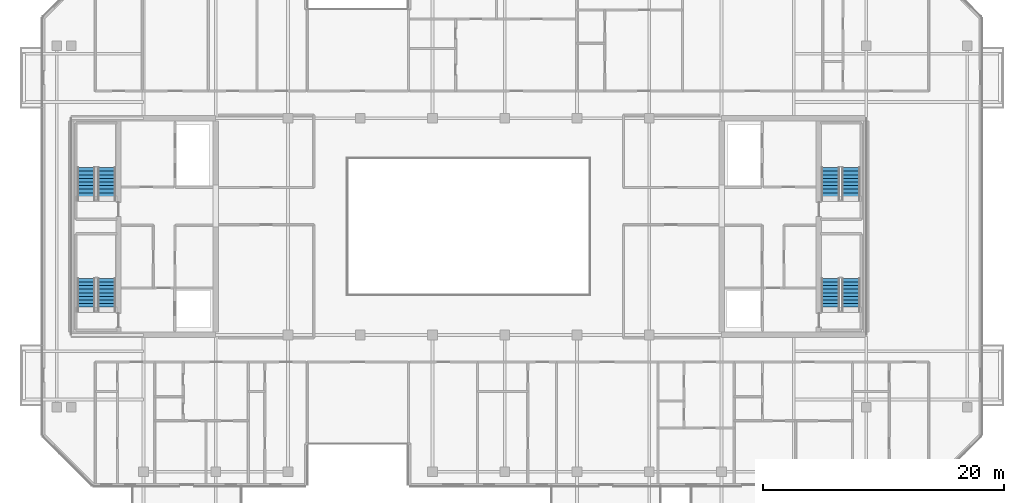
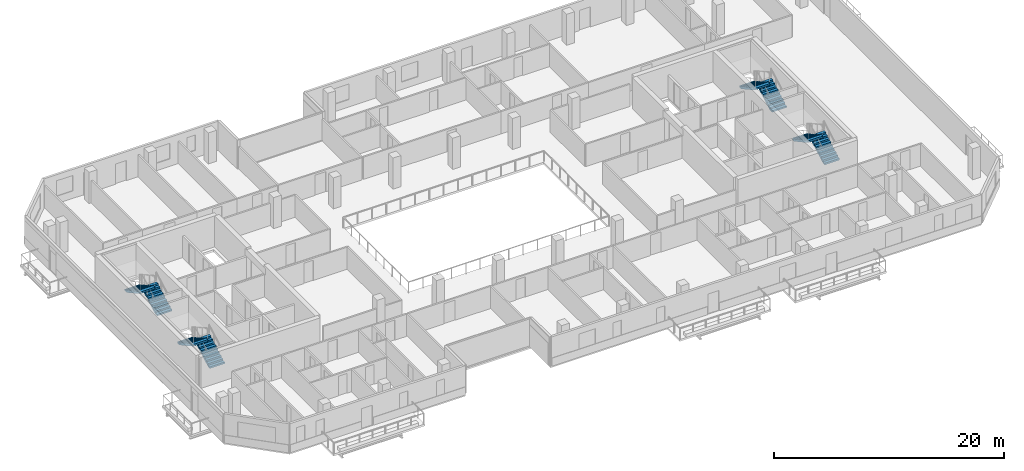
# One storey, part 16 of 20: 8 stair flights, 4 elements without a shape of their own.
"""IFC4 building model written with IfcOpenShell, lengths in metres."""

from ifc_helpers import new_model, si_unit, direction, frame, origin, place, context, subcontext, project, spatial, polyline, outline, extrude, material, type_object, element, aggregate, save


model = new_model("IFC4")

# Units and contexts
model_context = context("Model", 3, precision=1e-05, world=origin(), true_north=direction((0.0, 1.0)))
body_context = subcontext(model_context, "Body", "Model", "MODEL_VIEW")
ifc_project = project(units=[si_unit("LENGTHUNIT", "METRE"), si_unit("AREAUNIT", "SQUARE_METRE"), si_unit("VOLUMEUNIT", "CUBIC_METRE"), si_unit("PLANEANGLEUNIT", "RADIAN"), si_unit("MASSUNIT", "GRAM", prefix="KILO")], contexts=[model_context])

# Site, building, storey
site_placement = place(None, origin())
site = spatial("IfcSite", under=ifc_project, at=site_placement, CompositionType="ELEMENT")
building_placement = place(site_placement, origin())
building = spatial("IfcBuilding", under=site, at=building_placement, Name="Tanjung Sevakor Pilgrim Tower", CompositionType="ELEMENT")
storey_placement = place(building_placement, frame((0.0, 0.0, 201.6298828125)))
storey = spatial("IfcBuildingStorey", under=building, at=storey_placement, Name="L56", CompositionType="ELEMENT", Elevation=201.6298828125)

# Stair, stair flights
ifc_material_1 = material(Name="Concrete C40/50", Category="concrete")
stair_type = type_object("IfcStairType", Name="STAIR-ST-CR150", PredefinedType="HALF_TURN_STAIR", material=ifc_material_1)
stair_1_placement = place(storey_placement, origin())
stair_1 = element("IfcStair", 1, at=stair_1_placement, inside=storey, type_object=stair_type, Name="L56 West Core Exit Stair 1", PredefinedType="HALF_TURN_STAIR")
ifc_material_2 = material(Name="Concrete C40/50", Category="concrete")
stair_flight_type = type_object("IfcStairFlightType", Name="FLIGHT-ST-CR150", PredefinedType="STRAIGHT", material=ifc_material_2)
stair_flight_1_placement = place(storey_placement, frame((26.949951171875, 26.60009765625, 0.0), z_axis=(0.0, 0.0, 1.0), x_axis=(0.0, 1.0, 0.0)))
stair_flight_1 = element("IfcStairFlight", 2, at=stair_flight_1_placement, type_object=stair_flight_type, Name="TS-W1 flight 1", NumberOfRisers=10, NumberOfTreads=9, PredefinedType="STRAIGHT", RiserHeight=0.165, TreadLength=0.3, context=body_context, shape_type="SweptSolid", body=[
    extrude(outline(polyline([(0.0, 0.0), (0.0, 0.1650390625), (0.300048828125, 0.1650390625), (0.300048828125, 0.330078125), (0.60009765625, 0.330078125), (0.60009765625, 0.4951171875), (0.89990234375, 0.4951171875), (0.89990234375, 0.659912109375), (1.199951171875, 0.659912109375), (1.199951171875, 0.824951171875), (1.5, 0.824951171875), (1.5, 0.989990234375), (1.800048828125, 0.989990234375), (1.800048828125, 1.155029296875), (2.10009765625, 1.155029296875), (2.10009765625, 1.320068359375), (2.39990234375, 1.320068359375), (2.39990234375, 1.485107421875), (2.699951171875, 1.485107421875), (2.699951171875, 1.64990234375), (2.699951171875, 1.302490234375), (0.331787109375, 0.0), (0.0, 0.0)])), frame((0.0, 0.75, 0.0), z_axis=(0.0, -1.0, 0.0), x_axis=(1.0, 0.0, 0.0)), (0.0, 0.0, 1.0), 1.5),
])
stair_flight_2_placement = place(storey_placement, frame((25.25, 29.300048828125, 1.650146484375), z_axis=(0.0, 0.0, 1.0), x_axis=(0.0, -1.0, 0.0)))
stair_flight_2 = element("IfcStairFlight", 3, at=stair_flight_2_placement, type_object=stair_flight_type, Name="TS-W1 flight 2", NumberOfRisers=10, NumberOfTreads=9, PredefinedType="STRAIGHT", RiserHeight=0.165, TreadLength=0.3, context=body_context, shape_type="SweptSolid", body=[
    extrude(outline(polyline([(0.0, 0.0), (0.0, 0.1650390625), (0.300048828125, 0.1650390625), (0.300048828125, 0.330078125), (0.60009765625, 0.330078125), (0.60009765625, 0.4951171875), (0.89990234375, 0.4951171875), (0.89990234375, 0.659912109375), (1.199951171875, 0.659912109375), (1.199951171875, 0.824951171875), (1.5, 0.824951171875), (1.5, 0.989990234375), (1.800048828125, 0.989990234375), (1.800048828125, 1.155029296875), (2.10009765625, 1.155029296875), (2.10009765625, 1.320068359375), (2.39990234375, 1.320068359375), (2.39990234375, 1.485107421875), (2.699951171875, 1.485107421875), (2.699951171875, 1.64990234375), (2.699951171875, 1.302490234375), (0.331787109375, 0.0), (0.0, 0.0)])), frame((0.0, 0.75, 0.0), z_axis=(0.0, -1.0, 0.0), x_axis=(1.0, 0.0, 0.0)), (0.0, 0.0, 1.0), 1.5),
])
aggregate(stair_1, [stair_flight_1, stair_flight_2])

stair_2_placement = place(storey_placement, origin())
stair_2 = element("IfcStair", 4, at=stair_2_placement, inside=storey, type_object=stair_type, Name="L56 West Core Exit Stair 2", PredefinedType="HALF_TURN_STAIR")
stair_flight_3_placement = place(storey_placement, frame((26.949951171875, 35.800048828125, 0.0), z_axis=(0.0, 0.0, 1.0), x_axis=(0.0, 1.0, 0.0)))
stair_flight_3 = element("IfcStairFlight", 5, at=stair_flight_3_placement, type_object=stair_flight_type, Name="TS-W2 flight 1", NumberOfRisers=10, NumberOfTreads=9, PredefinedType="STRAIGHT", RiserHeight=0.165, TreadLength=0.3, context=body_context, shape_type="SweptSolid", body=[
    extrude(outline(polyline([(0.0, 0.0), (0.0, 0.1650390625), (0.300048828125, 0.1650390625), (0.300048828125, 0.330078125), (0.60009765625, 0.330078125), (0.60009765625, 0.4951171875), (0.89990234375, 0.4951171875), (0.89990234375, 0.659912109375), (1.199951171875, 0.659912109375), (1.199951171875, 0.824951171875), (1.5, 0.824951171875), (1.5, 0.989990234375), (1.800048828125, 0.989990234375), (1.800048828125, 1.155029296875), (2.10009765625, 1.155029296875), (2.10009765625, 1.320068359375), (2.39990234375, 1.320068359375), (2.39990234375, 1.485107421875), (2.699951171875, 1.485107421875), (2.699951171875, 1.64990234375), (2.699951171875, 1.302490234375), (0.331787109375, 0.0), (0.0, 0.0)])), frame((0.0, 0.75, 0.0), z_axis=(0.0, -1.0, 0.0), x_axis=(1.0, 0.0, 0.0)), (0.0, 0.0, 1.0), 1.5),
])
stair_flight_4_placement = place(storey_placement, frame((25.25, 38.5, 1.650146484375), z_axis=(0.0, 0.0, 1.0), x_axis=(0.0, -1.0, 0.0)))
stair_flight_4 = element("IfcStairFlight", 6, at=stair_flight_4_placement, type_object=stair_flight_type, Name="TS-W2 flight 2", NumberOfRisers=10, NumberOfTreads=9, PredefinedType="STRAIGHT", RiserHeight=0.165, TreadLength=0.3, context=body_context, shape_type="SweptSolid", body=[
    extrude(outline(polyline([(0.0, 0.0), (0.0, 0.1650390625), (0.300048828125, 0.1650390625), (0.300048828125, 0.330078125), (0.60009765625, 0.330078125), (0.60009765625, 0.4951171875), (0.89990234375, 0.4951171875), (0.89990234375, 0.659912109375), (1.199951171875, 0.659912109375), (1.199951171875, 0.824951171875), (1.5, 0.824951171875), (1.5, 0.989990234375), (1.800048828125, 0.989990234375), (1.800048828125, 1.155029296875), (2.10009765625, 1.155029296875), (2.10009765625, 1.320068359375), (2.39990234375, 1.320068359375), (2.39990234375, 1.485107421875), (2.699951171875, 1.485107421875), (2.699951171875, 1.64990234375), (2.699951171875, 1.302490234375), (0.331787109375, 0.0), (0.0, 0.0)])), frame((0.0, 0.75, 0.0), z_axis=(0.0, -1.0, 0.0), x_axis=(1.0, 0.0, 0.0)), (0.0, 0.0, 1.0), 1.5),
])
aggregate(stair_2, [stair_flight_3, stair_flight_4])

stair_3_placement = place(storey_placement, origin())
stair_3 = element("IfcStair", 7, at=stair_3_placement, inside=storey, type_object=stair_type, Name="L56 East Core Exit Stair 1", PredefinedType="HALF_TURN_STAIR")
stair_flight_5_placement = place(storey_placement, frame((88.75, 26.60009765625, 0.0), z_axis=(0.0, 0.0, 1.0), x_axis=(0.0, 1.0, 0.0)))
stair_flight_5 = element("IfcStairFlight", 8, at=stair_flight_5_placement, type_object=stair_flight_type, Name="TS-E1 flight 1", NumberOfRisers=10, NumberOfTreads=9, PredefinedType="STRAIGHT", RiserHeight=0.165, TreadLength=0.3, context=body_context, shape_type="SweptSolid", body=[
    extrude(outline(polyline([(0.0, 0.0), (0.0, 0.1650390625), (0.300048828125, 0.1650390625), (0.300048828125, 0.330078125), (0.60009765625, 0.330078125), (0.60009765625, 0.4951171875), (0.89990234375, 0.4951171875), (0.89990234375, 0.659912109375), (1.199951171875, 0.659912109375), (1.199951171875, 0.824951171875), (1.5, 0.824951171875), (1.5, 0.989990234375), (1.800048828125, 0.989990234375), (1.800048828125, 1.155029296875), (2.10009765625, 1.155029296875), (2.10009765625, 1.320068359375), (2.39990234375, 1.320068359375), (2.39990234375, 1.485107421875), (2.699951171875, 1.485107421875), (2.699951171875, 1.64990234375), (2.699951171875, 1.302490234375), (0.331787109375, 0.0), (0.0, 0.0)])), frame((0.0, 0.75, 0.0), z_axis=(0.0, -1.0, 0.0), x_axis=(1.0, 0.0, 0.0)), (0.0, 0.0, 1.0), 1.5),
])
stair_flight_6_placement = place(storey_placement, frame((87.050048828125, 29.300048828125, 1.650146484375), z_axis=(0.0, 0.0, 1.0), x_axis=(0.0, -1.0, 0.0)))
stair_flight_6 = element("IfcStairFlight", 9, at=stair_flight_6_placement, type_object=stair_flight_type, Name="TS-E1 flight 2", NumberOfRisers=10, NumberOfTreads=9, PredefinedType="STRAIGHT", RiserHeight=0.165, TreadLength=0.3, context=body_context, shape_type="SweptSolid", body=[
    extrude(outline(polyline([(0.0, 0.0), (0.0, 0.1650390625), (0.300048828125, 0.1650390625), (0.300048828125, 0.330078125), (0.60009765625, 0.330078125), (0.60009765625, 0.4951171875), (0.89990234375, 0.4951171875), (0.89990234375, 0.659912109375), (1.199951171875, 0.659912109375), (1.199951171875, 0.824951171875), (1.5, 0.824951171875), (1.5, 0.989990234375), (1.800048828125, 0.989990234375), (1.800048828125, 1.155029296875), (2.10009765625, 1.155029296875), (2.10009765625, 1.320068359375), (2.39990234375, 1.320068359375), (2.39990234375, 1.485107421875), (2.699951171875, 1.485107421875), (2.699951171875, 1.64990234375), (2.699951171875, 1.302490234375), (0.331787109375, 0.0), (0.0, 0.0)])), frame((0.0, 0.75, 0.0), z_axis=(0.0, -1.0, 0.0), x_axis=(1.0, 0.0, 0.0)), (0.0, 0.0, 1.0), 1.5),
])
aggregate(stair_3, [stair_flight_5, stair_flight_6])

stair_4_placement = place(storey_placement, origin())
stair_4 = element("IfcStair", 10, at=stair_4_placement, inside=storey, type_object=stair_type, Name="L56 East Core Exit Stair 2", PredefinedType="HALF_TURN_STAIR")
stair_flight_7_placement = place(storey_placement, frame((88.75, 35.800048828125, 0.0), z_axis=(0.0, 0.0, 1.0), x_axis=(0.0, 1.0, 0.0)))
stair_flight_7 = element("IfcStairFlight", 11, at=stair_flight_7_placement, type_object=stair_flight_type, Name="TS-E2 flight 1", NumberOfRisers=10, NumberOfTreads=9, PredefinedType="STRAIGHT", RiserHeight=0.165, TreadLength=0.3, context=body_context, shape_type="SweptSolid", body=[
    extrude(outline(polyline([(0.0, 0.0), (0.0, 0.1650390625), (0.300048828125, 0.1650390625), (0.300048828125, 0.330078125), (0.60009765625, 0.330078125), (0.60009765625, 0.4951171875), (0.89990234375, 0.4951171875), (0.89990234375, 0.659912109375), (1.199951171875, 0.659912109375), (1.199951171875, 0.824951171875), (1.5, 0.824951171875), (1.5, 0.989990234375), (1.800048828125, 0.989990234375), (1.800048828125, 1.155029296875), (2.10009765625, 1.155029296875), (2.10009765625, 1.320068359375), (2.39990234375, 1.320068359375), (2.39990234375, 1.485107421875), (2.699951171875, 1.485107421875), (2.699951171875, 1.64990234375), (2.699951171875, 1.302490234375), (0.331787109375, 0.0), (0.0, 0.0)])), frame((0.0, 0.75, 0.0), z_axis=(0.0, -1.0, 0.0), x_axis=(1.0, 0.0, 0.0)), (0.0, 0.0, 1.0), 1.5),
])
stair_flight_8_placement = place(storey_placement, frame((87.050048828125, 38.5, 1.650146484375), z_axis=(0.0, 0.0, 1.0), x_axis=(0.0, -1.0, 0.0)))
stair_flight_8 = element("IfcStairFlight", 12, at=stair_flight_8_placement, type_object=stair_flight_type, Name="TS-E2 flight 2", NumberOfRisers=10, NumberOfTreads=9, PredefinedType="STRAIGHT", RiserHeight=0.165, TreadLength=0.3, context=body_context, shape_type="SweptSolid", body=[
    extrude(outline(polyline([(0.0, 0.0), (0.0, 0.1650390625), (0.300048828125, 0.1650390625), (0.300048828125, 0.330078125), (0.60009765625, 0.330078125), (0.60009765625, 0.4951171875), (0.89990234375, 0.4951171875), (0.89990234375, 0.659912109375), (1.199951171875, 0.659912109375), (1.199951171875, 0.824951171875), (1.5, 0.824951171875), (1.5, 0.989990234375), (1.800048828125, 0.989990234375), (1.800048828125, 1.155029296875), (2.10009765625, 1.155029296875), (2.10009765625, 1.320068359375), (2.39990234375, 1.320068359375), (2.39990234375, 1.485107421875), (2.699951171875, 1.485107421875), (2.699951171875, 1.64990234375), (2.699951171875, 1.302490234375), (0.331787109375, 0.0), (0.0, 0.0)])), frame((0.0, 0.75, 0.0), z_axis=(0.0, -1.0, 0.0), x_axis=(1.0, 0.0, 0.0)), (0.0, 0.0, 1.0), 1.5),
])
aggregate(stair_4, [stair_flight_7, stair_flight_8])

save(model, "model.ifc")
